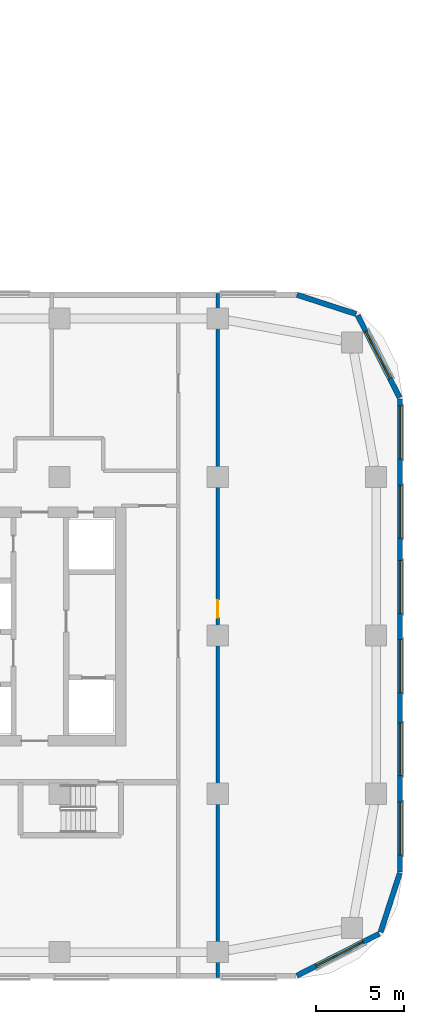
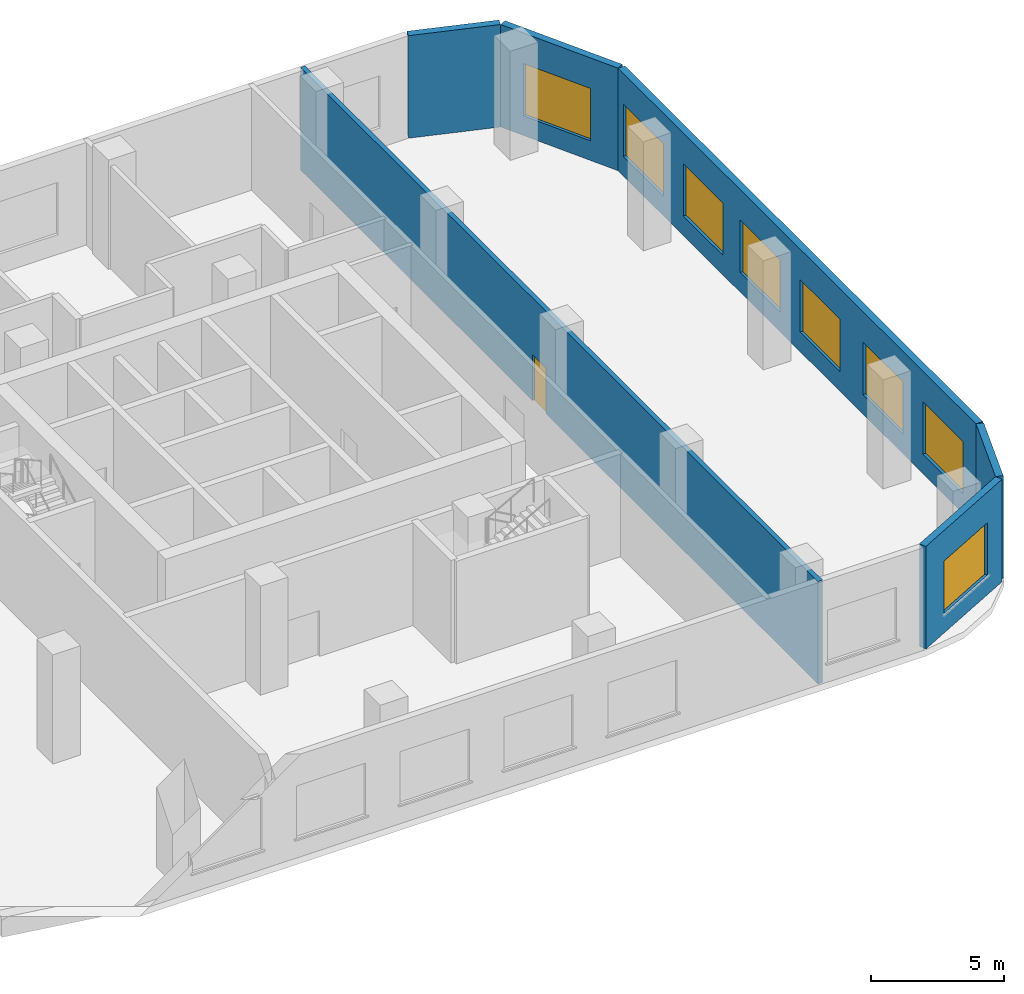
# One storey, part 16 of 35: 8 windows, 6 walls, 1 door, 9 openings.
"""IFC4 building model written with IfcOpenShell, lengths in metres."""

from ifc_helpers import new_model, si_unit, direction, frame, frame_2d, origin, place, context, subcontext, project, spatial, rectangle, extrude, material, layer, layer_set, type_object, element, fill, save


model = new_model("IFC4")

# Units and contexts
model_context = context("Model", 3, precision=1e-05, world=origin(), true_north=direction((0.0, 1.0)))
body_context = subcontext(model_context, "Body", "Model", "MODEL_VIEW")
ifc_project = project(units=[si_unit("LENGTHUNIT", "METRE"), si_unit("AREAUNIT", "SQUARE_METRE"), si_unit("VOLUMEUNIT", "CUBIC_METRE"), si_unit("PLANEANGLEUNIT", "RADIAN"), si_unit("MASSUNIT", "GRAM", prefix="KILO")], contexts=[model_context])

# Site, building, storey
site_placement = place(None, origin())
site = spatial("IfcSite", under=ifc_project, at=site_placement, CompositionType="ELEMENT")
building_placement = place(site_placement, origin())
building = spatial("IfcBuilding", under=site, at=building_placement, Name="Ogive Portal Towers", CompositionType="ELEMENT")
storey_placement = place(building_placement, frame((0.0, 0.0, 18.5)))
storey = spatial("IfcBuildingStorey", under=building, at=storey_placement, Name="L03", CompositionType="ELEMENT", Elevation=18.5)

# Wall, opening, window
ifc_material_1 = material(Name="Limestone cladding on lightweight block wall", Category="masonry")
ifc_layer_1 = layer(ifc_material_1, 0.300048828125)
ifc_layer_set_1 = layer_set([ifc_layer_1], Name="EXTERNAL WALL 300 STONE")
wall_type_1 = type_object("IfcWallType", Name="EXTERNAL WALL 300 STONE", PredefinedType="SOLIDWALL", material=ifc_layer_set_1)
wall_1_placement = place(storey_placement, frame((153.99609375, 11.166259765625, 0.0), z_axis=(0.0, 0.0, 1.0), x_axis=(0.890998339455, 0.454006562826, 0.0)))
wall_1 = element("IfcWall", 1, at=wall_1_placement, inside=storey, type_object=wall_type_1, Name="B:L03:f03:w0", PredefinedType="SOLIDWALL", context=body_context, shape_type="SweptSolid", body=[
    extrude(rectangle(XDim=5.251708984375, YDim=0.300048828125, at=frame_2d((2.6259765625, 0.0))), origin(), (0.0, 0.0, 1.0), 4.699951171875),
])
opening_1_placement = place(wall_1_placement, frame((1.223876953125, 0.0, 0.89990234375)))
opening_1 = element("IfcOpeningElement", 2, at=opening_1_placement, cuts=wall_1, Name="Opening WN3", PredefinedType="OPENING", context=body_context, shape_type="SweptSolid", body=[
    extrude(rectangle(XDim=3.0, YDim=2.39990234375, at=frame_2d((1.5, 1.199951171875))), frame((0.0, 0.16015625, 0.0), z_axis=(0.0, -1.0, 0.0), x_axis=(1.0, 0.0, 0.0)), (0.0, 0.0, 1.0), 0.320068359375),
])
ifc_material_2 = material(Name="Glass, clear low-iron insulated glazing", Category="glass")
window_type = type_object("IfcWindowType", Name="WINDOW PODIUM 3000x2400", PartitioningType="SINGLE_PANEL", PredefinedType="WINDOW", material=ifc_material_2)
window_1_placement = place(opening_1_placement, origin())
window_1 = element("IfcWindow", 3, at=window_1_placement, inside=storey, type_object=window_type, Name="B:L03:f03:w0:o0", OverallHeight=2.39990234375, OverallWidth=3.0, PartitioningType="SINGLE_PANEL", PredefinedType="WINDOW", context=body_context, shape_type="SweptSolid", body=[
    extrude(rectangle(XDim=3.0, YDim=2.39990234375, at=frame_2d((1.5, 1.199951171875))), frame((0.0, 0.030029296875, 0.0), z_axis=(0.0, -1.0, 0.0), x_axis=(1.0, 0.0, 0.0)), (0.0, 0.0, 1.0), 0.06005859375),
])
fill(opening_1, window_1)

# Wall
wall_2_placement = place(storey_placement, frame((158.749755859375, 13.637939453125, 0.0), z_axis=(0.0, 0.0, 1.0), x_axis=(0.309073584194, 0.951038127287, 0.0)))
element("IfcWall", 4, at=wall_2_placement, inside=storey, type_object=wall_type_1, Name="B:L03:f04:w0", PredefinedType="SOLIDWALL", context=body_context, shape_type="SweptSolid", body=[
    extrude(rectangle(XDim=3.536376953125, YDim=0.300048828125, at=frame_2d((1.76806640625, 0.0))), origin(), (0.0, 0.0, 1.0), 4.699951171875),
])

# Wall, openings, windows
wall_3_placement = place(storey_placement, frame((159.85009765625, 17.047607421875, 0.0), z_axis=(0.0, 0.0, 1.0), x_axis=(0.0, 1.0, 0.0)))
wall_3 = element("IfcWall", 5, at=wall_3_placement, inside=storey, type_object=wall_type_1, Name="B:L03:f05:w0", PredefinedType="SOLIDWALL", context=body_context, shape_type="SweptSolid", body=[
    extrude(rectangle(XDim=26.88037109375, YDim=0.300048828125, at=frame_2d((13.440185546875, 0.0))), origin(), (0.0, 0.0, 1.0), 4.699951171875),
])
opening_2_placement = place(wall_3_placement, frame((0.976318359375, 0.0, 0.89990234375)))
opening_2 = element("IfcOpeningElement", 6, at=opening_2_placement, cuts=wall_3, Name="Opening WN3", PredefinedType="OPENING", context=body_context, shape_type="SweptSolid", body=[
    extrude(rectangle(XDim=3.0, YDim=2.39990234375, at=frame_2d((1.5, 1.199951171875))), frame((0.0, 0.16015625, 0.0), z_axis=(0.0, -1.0, 0.0), x_axis=(1.0, 0.0, 0.0)), (0.0, 0.0, 1.0), 0.320068359375),
])
opening_3_placement = place(wall_3_placement, frame((5.476318359375, 0.0, 0.89990234375)))
opening_3 = element("IfcOpeningElement", 7, at=opening_3_placement, cuts=wall_3, Name="Opening WN3", PredefinedType="OPENING", context=body_context, shape_type="SweptSolid", body=[
    extrude(rectangle(XDim=3.0, YDim=2.39990234375, at=frame_2d((1.5, 1.199951171875))), frame((0.0, 0.16015625, 0.0), z_axis=(0.0, -1.0, 0.0), x_axis=(1.0, 0.0, 0.0)), (0.0, 0.0, 1.0), 0.320068359375),
])
opening_4_placement = place(wall_3_placement, frame((10.202392578125, 0.0, 0.89990234375)))
opening_4 = element("IfcOpeningElement", 8, at=opening_4_placement, cuts=wall_3, Name="Opening WN3", PredefinedType="OPENING", context=body_context, shape_type="SweptSolid", body=[
    extrude(rectangle(XDim=3.0, YDim=2.39990234375, at=frame_2d((1.5, 1.199951171875))), frame((0.0, 0.16015625, 0.0), z_axis=(0.0, -1.0, 0.0), x_axis=(1.0, 0.0, 0.0)), (0.0, 0.0, 1.0), 0.320068359375),
])
opening_5_placement = place(wall_3_placement, frame((14.702392578125, 0.0, 0.89990234375)))
opening_5 = element("IfcOpeningElement", 9, at=opening_5_placement, cuts=wall_3, Name="Opening WN3", PredefinedType="OPENING", context=body_context, shape_type="SweptSolid", body=[
    extrude(rectangle(XDim=3.0, YDim=2.39990234375, at=frame_2d((1.5, 1.199951171875))), frame((0.0, 0.16015625, 0.0), z_axis=(0.0, -1.0, 0.0), x_axis=(1.0, 0.0, 0.0)), (0.0, 0.0, 1.0), 0.320068359375),
])
opening_6_placement = place(wall_3_placement, frame((18.976318359375, 0.0, 0.89990234375)))
opening_6 = element("IfcOpeningElement", 10, at=opening_6_placement, cuts=wall_3, Name="Opening WN3", PredefinedType="OPENING", context=body_context, shape_type="SweptSolid", body=[
    extrude(rectangle(XDim=3.0, YDim=2.39990234375, at=frame_2d((1.5, 1.199951171875))), frame((0.0, 0.16015625, 0.0), z_axis=(0.0, -1.0, 0.0), x_axis=(1.0, 0.0, 0.0)), (0.0, 0.0, 1.0), 0.320068359375),
])
opening_7_placement = place(wall_3_placement, frame((23.476318359375, 0.0, 0.89990234375)))
opening_7 = element("IfcOpeningElement", 11, at=opening_7_placement, cuts=wall_3, Name="Opening WN3", PredefinedType="OPENING", context=body_context, shape_type="SweptSolid", body=[
    extrude(rectangle(XDim=3.0, YDim=2.39990234375, at=frame_2d((1.5, 1.199951171875))), frame((0.0, 0.16015625, 0.0), z_axis=(0.0, -1.0, 0.0), x_axis=(1.0, 0.0, 0.0)), (0.0, 0.0, 1.0), 0.320068359375),
])
window_2_placement = place(opening_2_placement, origin())
window_2 = element("IfcWindow", 12, at=window_2_placement, inside=storey, type_object=window_type, Name="B:L03:f05:w0:o0a", OverallHeight=2.39990234375, OverallWidth=3.0, PartitioningType="SINGLE_PANEL", PredefinedType="WINDOW", context=body_context, shape_type="SweptSolid", body=[
    extrude(rectangle(XDim=3.0, YDim=2.39990234375, at=frame_2d((1.5, 1.199951171875))), frame((0.0, 0.030029296875, 0.0), z_axis=(0.0, -1.0, 0.0), x_axis=(1.0, 0.0, 0.0)), (0.0, 0.0, 1.0), 0.06005859375),
])
fill(opening_2, window_2)
window_3_placement = place(opening_3_placement, origin())
window_3 = element("IfcWindow", 13, at=window_3_placement, inside=storey, type_object=window_type, Name="B:L03:f05:w0:o0b", OverallHeight=2.39990234375, OverallWidth=3.0, PartitioningType="SINGLE_PANEL", PredefinedType="WINDOW", context=body_context, shape_type="SweptSolid", body=[
    extrude(rectangle(XDim=3.0, YDim=2.39990234375, at=frame_2d((1.5, 1.199951171875))), frame((0.0, 0.030029296875, 0.0), z_axis=(0.0, -1.0, 0.0), x_axis=(1.0, 0.0, 0.0)), (0.0, 0.0, 1.0), 0.06005859375),
])
fill(opening_3, window_3)
window_4_placement = place(opening_4_placement, origin())
window_4 = element("IfcWindow", 14, at=window_4_placement, inside=storey, type_object=window_type, Name="B:L03:f05:w0:o1a", OverallHeight=2.39990234375, OverallWidth=3.0, PartitioningType="SINGLE_PANEL", PredefinedType="WINDOW", context=body_context, shape_type="SweptSolid", body=[
    extrude(rectangle(XDim=3.0, YDim=2.39990234375, at=frame_2d((1.5, 1.199951171875))), frame((0.0, 0.030029296875, 0.0), z_axis=(0.0, -1.0, 0.0), x_axis=(1.0, 0.0, 0.0)), (0.0, 0.0, 1.0), 0.06005859375),
])
fill(opening_4, window_4)
window_5_placement = place(opening_5_placement, origin())
window_5 = element("IfcWindow", 15, at=window_5_placement, inside=storey, type_object=window_type, Name="B:L03:f05:w0:o1b", OverallHeight=2.39990234375, OverallWidth=3.0, PartitioningType="SINGLE_PANEL", PredefinedType="WINDOW", context=body_context, shape_type="SweptSolid", body=[
    extrude(rectangle(XDim=3.0, YDim=2.39990234375, at=frame_2d((1.5, 1.199951171875))), frame((0.0, 0.030029296875, 0.0), z_axis=(0.0, -1.0, 0.0), x_axis=(1.0, 0.0, 0.0)), (0.0, 0.0, 1.0), 0.06005859375),
])
fill(opening_5, window_5)
window_6_placement = place(opening_6_placement, origin())
window_6 = element("IfcWindow", 16, at=window_6_placement, inside=storey, type_object=window_type, Name="B:L03:f05:w0:o2a", OverallHeight=2.39990234375, OverallWidth=3.0, PartitioningType="SINGLE_PANEL", PredefinedType="WINDOW", context=body_context, shape_type="SweptSolid", body=[
    extrude(rectangle(XDim=3.0, YDim=2.39990234375, at=frame_2d((1.5, 1.199951171875))), frame((0.0, 0.030029296875, 0.0), z_axis=(0.0, -1.0, 0.0), x_axis=(1.0, 0.0, 0.0)), (0.0, 0.0, 1.0), 0.06005859375),
])
fill(opening_6, window_6)
window_7_placement = place(opening_7_placement, origin())
window_7 = element("IfcWindow", 17, at=window_7_placement, inside=storey, type_object=window_type, Name="B:L03:f05:w0:o2b", OverallHeight=2.39990234375, OverallWidth=3.0, PartitioningType="SINGLE_PANEL", PredefinedType="WINDOW", context=body_context, shape_type="SweptSolid", body=[
    extrude(rectangle(XDim=3.0, YDim=2.39990234375, at=frame_2d((1.5, 1.199951171875))), frame((0.0, 0.030029296875, 0.0), z_axis=(0.0, -1.0, 0.0), x_axis=(1.0, 0.0, 0.0)), (0.0, 0.0, 1.0), 0.06005859375),
])
fill(opening_7, window_7)

# Wall, opening, window
wall_4_placement = place(storey_placement, frame((159.833740234375, 43.99609375, 0.0), z_axis=(0.0, 0.0, 1.0), x_axis=(-0.454006562826, 0.890998339455, 0.0)))
wall_4 = element("IfcWall", 18, at=wall_4_placement, inside=storey, type_object=wall_type_1, Name="B:L03:f06:w0", PredefinedType="SOLIDWALL", context=body_context, shape_type="SweptSolid", body=[
    extrude(rectangle(XDim=5.251708984375, YDim=0.300048828125, at=frame_2d((2.6259765625, 0.0))), origin(), (0.0, 0.0, 1.0), 4.699951171875),
])
opening_8_placement = place(wall_4_placement, frame((1.223876953125, 0.0, 0.89990234375)))
opening_8 = element("IfcOpeningElement", 19, at=opening_8_placement, cuts=wall_4, Name="Opening WN3", PredefinedType="OPENING", context=body_context, shape_type="SweptSolid", body=[
    extrude(rectangle(XDim=3.0, YDim=2.39990234375, at=frame_2d((1.5, 1.199951171875))), frame((0.0, 0.16015625, 0.0), z_axis=(0.0, -1.0, 0.0), x_axis=(1.0, 0.0, 0.0)), (0.0, 0.0, 1.0), 0.320068359375),
])
window_8_placement = place(opening_8_placement, origin())
window_8 = element("IfcWindow", 20, at=window_8_placement, inside=storey, type_object=window_type, Name="B:L03:f06:w0:o0", OverallHeight=2.39990234375, OverallWidth=3.0, PartitioningType="SINGLE_PANEL", PredefinedType="WINDOW", context=body_context, shape_type="SweptSolid", body=[
    extrude(rectangle(XDim=3.0, YDim=2.39990234375, at=frame_2d((1.5, 1.199951171875))), frame((0.0, 0.030029296875, 0.0), z_axis=(0.0, -1.0, 0.0), x_axis=(1.0, 0.0, 0.0)), (0.0, 0.0, 1.0), 0.06005859375),
])
fill(opening_8, window_8)

# Wall
wall_5_placement = place(storey_placement, frame((157.362060546875, 48.749755859375, 0.0), z_axis=(0.0, 0.0, 1.0), x_axis=(-0.951038127287, 0.309073584194, 0.0)))
element("IfcWall", 21, at=wall_5_placement, inside=storey, type_object=wall_type_1, Name="B:L03:f07:w0", PredefinedType="SOLIDWALL", context=body_context, shape_type="SweptSolid", body=[
    extrude(rectangle(XDim=3.536376953125, YDim=0.300048828125, at=frame_2d((1.76806640625, 0.0))), origin(), (0.0, 0.0, 1.0), 4.699951171875),
])

# Wall, opening, door
ifc_material_3 = material(Name="Gypsum board partition on steel studs", Category="steel")
ifc_layer_2 = layer(ifc_material_3, 0.199951171875)
ifc_layer_set_2 = layer_set([ifc_layer_2], Name="WT-PART-200-EI 60")
wall_type_2 = type_object("IfcWallType", Name="WT-PART-200-EI 60", PredefinedType="PARTITIONING", material=ifc_layer_set_2)
wall_6_placement = place(storey_placement, frame((149.5, 11.070068359375, 0.0), z_axis=(0.0, 0.0, 1.0), x_axis=(0.0, 1.0, 0.0)))
wall_6 = element("IfcWall", 22, at=wall_6_placement, inside=storey, type_object=wall_type_2, Name="Wall L03:w080", PredefinedType="PARTITIONING", context=body_context, shape_type="SweptSolid", body=[
    extrude(rectangle(XDim=38.85986328125, YDim=0.199951171875, at=frame_2d((19.429931640625, 0.0))), origin(), (0.0, 0.0, 1.0), 4.699951171875),
])
opening_9_placement = place(wall_6_placement, frame((20.429931640625, 0.0, 0.0)))
opening_9 = element("IfcOpeningElement", 23, at=opening_9_placement, cuts=wall_6, Name="Opening P03-045", PredefinedType="OPENING", context=body_context, shape_type="SweptSolid", body=[
    extrude(rectangle(XDim=1.0, YDim=2.10009765625, at=frame_2d((0.5, 1.050048828125))), frame((0.0, 0.10986328125, 0.0), z_axis=(0.0, -1.0, 0.0), x_axis=(1.0, 0.0, 0.0)), (0.0, 0.0, 1.0), 0.219970703125),
])
ifc_material_4 = material(Name="Steel fire door", Category="steel")
door_type = type_object("IfcDoorType", Name="DT-SWING-1000x2100-FD60S", OperationType="SINGLE_SWING_LEFT", PredefinedType="DOOR", material=ifc_material_4)
door_placement = place(opening_9_placement, origin())
door = element("IfcDoor", 24, at=door_placement, inside=storey, type_object=door_type, Name="Door P03-045", OperationType="SINGLE_SWING_LEFT", OverallHeight=2.10009765625, OverallWidth=1.0, PredefinedType="DOOR", context=body_context, shape_type="SweptSolid", body=[
    extrude(rectangle(XDim=1.0, YDim=2.10009765625, at=frame_2d((0.5, 1.050048828125))), frame((0.0, 0.02490234375, 0.0), z_axis=(0.0, -1.0, 0.0), x_axis=(1.0, 0.0, 0.0)), (0.0, 0.0, 1.0), 0.050048828125),
])
fill(opening_9, door)

save(model, "model.ifc")
